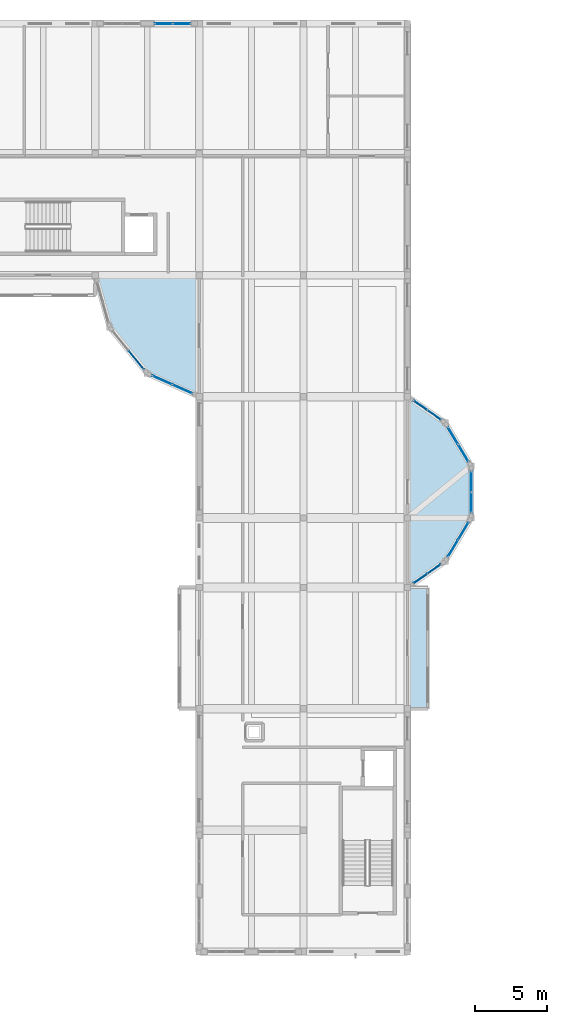
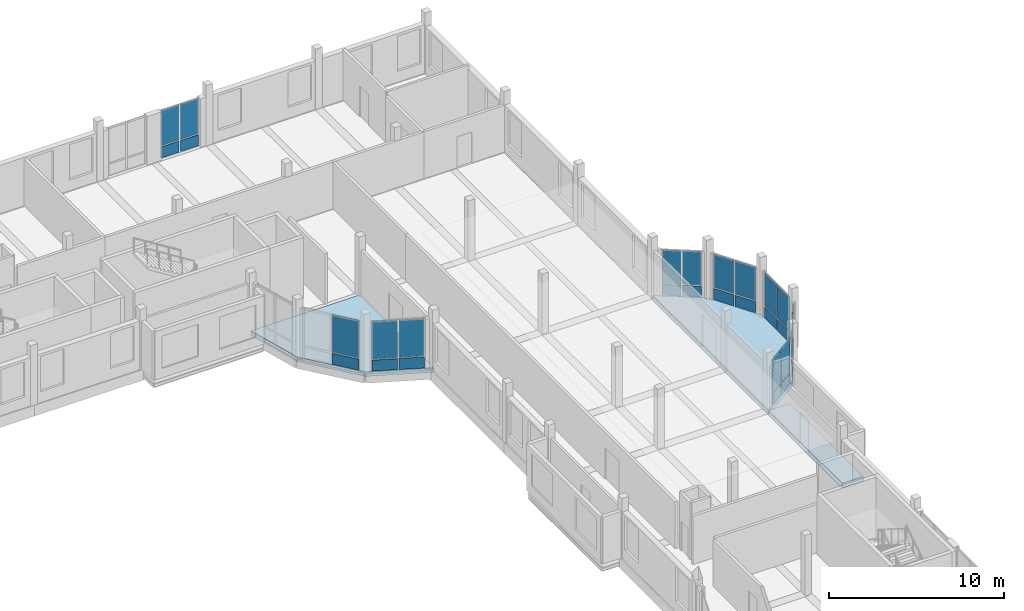
# One storey, part 53 of 99: 30 plates, 3 slabs, 8 elements without a shape of their own.
"""IFC4 building model written with IfcOpenShell, lengths in metres."""

from ifc_helpers import new_model, si_unit, direction, frame, origin, origin_2d, place, context, subcontext, project, spatial, polyline, rectangle, outline, extrude, material, layer, layer_set, type_object, element, aggregate, save


model = new_model("IFC4")

# Units and contexts
model_context = context("Model", 3, precision=1e-05, world=origin(), true_north=direction((0.0, 1.0)))
body_context = subcontext(model_context, "Body", "Model", "MODEL_VIEW")
ifc_project = project(units=[si_unit("LENGTHUNIT", "METRE"), si_unit("AREAUNIT", "SQUARE_METRE"), si_unit("VOLUMEUNIT", "CUBIC_METRE"), si_unit("PLANEANGLEUNIT", "RADIAN"), si_unit("MASSUNIT", "GRAM", prefix="KILO")], contexts=[model_context])

# Site, building, storey
site_placement = place(None, origin())
site = spatial("IfcSite", under=ifc_project, at=site_placement, CompositionType="ELEMENT")
building_placement = place(site_placement, origin())
building = spatial("IfcBuilding", under=site, at=building_placement, Name="Kahlenmark Community Centre", CompositionType="ELEMENT")
storey_placement = place(building_placement, frame((0.0, 0.0, 5.39990234375)))
storey = spatial("IfcBuildingStorey", under=building, at=storey_placement, Name="L01", CompositionType="ELEMENT", Elevation=5.39990234375)

# Curtain wall, plates
ifc_material_1 = material(Name="Anodised aluminium unitised curtain wall", Category="aluminium")
curtain_wall_type_1 = type_object("IfcCurtainWallType", Name="CWT-UNIT-232X325", PredefinedType="USERDEFINED", material=ifc_material_1)
curtain_wall_1_placement = place(storey_placement, origin())
curtain_wall_1 = element("IfcCurtainWall", 1, at=curtain_wall_1_placement, inside=storey, type_object=curtain_wall_type_1, Name="Unitised curtain wall CW-151", ObjectType="UNITISED CURTAIN WALL", PredefinedType="USERDEFINED")
ifc_material_2 = material(Name="Triple low-e solar-control glass unit", Category="glass")
ifc_layer_1 = layer(ifc_material_2, 0.0439453125)
ifc_layer_set_1 = layer_set([ifc_layer_1], Name="Triple low-e solar-control glass unit")
plate_type_1 = type_object("IfcPlateType", Name="PLT-CW-GLZ-1081X2320", PredefinedType="CURTAIN_PANEL", material=ifc_layer_set_1)
plate_1_placement = place(storey_placement, frame((87.6884765625, 76.614990234375, 0.89013671875), z_axis=(0.0, 0.0, 1.0), x_axis=(0.822190736534, 0.56921208065, 0.0)))
plate_1 = element("IfcPlate", 2, at=plate_1_placement, type_object=plate_type_1, Name="CW-151 glazed panel 1", PredefinedType="CURTAIN_PANEL", context=body_context, shape_type="SweptSolid", body=[
    extrude(rectangle(XDim=1.081298828125, YDim=0.0439453125, at=origin_2d()), origin(), (0.0, 0.0, 1.0), 2.320068359375),
])
plate_2_placement = place(storey_placement, frame((88.643310546875, 77.27587890625, 0.89013671875), z_axis=(0.0, 0.0, 1.0), x_axis=(0.822190736534, 0.56921208065, 0.0)))
plate_2 = element("IfcPlate", 3, at=plate_2_placement, type_object=plate_type_1, Name="CW-151 glazed panel 2", PredefinedType="CURTAIN_PANEL", context=body_context, shape_type="SweptSolid", body=[
    extrude(rectangle(XDim=1.081298828125, YDim=0.0439453125, at=origin_2d()), origin(), (0.0, 0.0, 1.0), 2.320068359375),
])

curtain_wall_2_placement = place(storey_placement, origin())
curtain_wall_2 = element("IfcCurtainWall", 4, at=curtain_wall_2_placement, inside=storey, type_object=curtain_wall_type_1, Name="Unitised curtain wall CW-155", ObjectType="UNITISED CURTAIN WALL", PredefinedType="USERDEFINED")
plate_3_placement = place(storey_placement, frame((88.643310546875, 87.924072265625, 0.89013671875), z_axis=(0.0, 0.0, 1.0), x_axis=(-0.822190736534, 0.56921208065, 0.0)))
plate_3 = element("IfcPlate", 5, at=plate_3_placement, type_object=plate_type_1, Name="CW-155 glazed panel 1", PredefinedType="CURTAIN_PANEL", context=body_context, shape_type="SweptSolid", body=[
    extrude(rectangle(XDim=1.081298828125, YDim=0.0439453125, at=origin_2d()), origin(), (0.0, 0.0, 1.0), 2.320068359375),
])
plate_4_placement = place(storey_placement, frame((87.6884765625, 88.5849609375, 0.89013671875), z_axis=(0.0, 0.0, 1.0), x_axis=(-0.822190736534, 0.56921208065, 0.0)))
plate_4 = element("IfcPlate", 6, at=plate_4_placement, type_object=plate_type_1, Name="CW-155 glazed panel 2", PredefinedType="CURTAIN_PANEL", context=body_context, shape_type="SweptSolid", body=[
    extrude(rectangle(XDim=1.081298828125, YDim=0.0439453125, at=origin_2d()), origin(), (0.0, 0.0, 1.0), 2.320068359375),
])

curtain_wall_type_2 = type_object("IfcCurtainWallType", Name="CWT-UNIT-254X337", PredefinedType="USERDEFINED", material=ifc_material_1)
curtain_wall_3_placement = place(storey_placement, origin())
curtain_wall_3 = element("IfcCurtainWall", 7, at=curtain_wall_3_placement, inside=storey, type_object=curtain_wall_type_2, Name="Unitised curtain wall CW-038", ObjectType="UNITISED CURTAIN WALL", PredefinedType="USERDEFINED")
ifc_layer_2 = layer(ifc_material_2, 0.0439453125)
ifc_layer_set_2 = layer_set([ifc_layer_2], Name="Triple low-e solar-control glass unit")
plate_type_2 = type_object("IfcPlateType", Name="PLT-CW-GLZ-1190X2440", PredefinedType="CURTAIN_PANEL", material=ifc_layer_set_2)
plate_5_placement = place(storey_placement, frame((71.18505859375, 115.0, 0.89013671875), z_axis=(0.0, 0.0, 1.0), x_axis=(-1.0, 0.0, 0.0)))
plate_5 = element("IfcPlate", 8, at=plate_5_placement, type_object=plate_type_2, Name="CW-038 glazed panel 1", PredefinedType="CURTAIN_PANEL", context=body_context, shape_type="SweptSolid", body=[
    extrude(rectangle(XDim=1.18994140625, YDim=0.0439453125, at=origin_2d()), origin(), (0.0, 0.0, 1.0), 2.43994140625),
])
plate_6_placement = place(storey_placement, frame((69.9150390625, 115.0, 0.89013671875), z_axis=(0.0, 0.0, 1.0), x_axis=(-1.0, 0.0, 0.0)))
plate_6 = element("IfcPlate", 9, at=plate_6_placement, type_object=plate_type_2, Name="CW-038 glazed panel 2", PredefinedType="CURTAIN_PANEL", context=body_context, shape_type="SweptSolid", body=[
    extrude(rectangle(XDim=1.18994140625, YDim=0.0439453125, at=origin_2d()), origin(), (0.0, 0.0, 1.0), 2.43994140625),
])

curtain_wall_type_3 = type_object("IfcCurtainWallType", Name="CWT-UNIT-282X325", PredefinedType="USERDEFINED", material=ifc_material_1)
curtain_wall_4_placement = place(storey_placement, origin())
curtain_wall_4 = element("IfcCurtainWall", 10, at=curtain_wall_4_placement, inside=storey, type_object=curtain_wall_type_3, Name="Unitised curtain wall CW-152", ObjectType="UNITISED CURTAIN WALL", PredefinedType="USERDEFINED")
ifc_layer_3 = layer(ifc_material_2, 0.0439453125)
ifc_layer_set_3 = layer_set([ifc_layer_3], Name="Triple low-e solar-control glass unit")
plate_type_3 = type_object("IfcPlateType", Name="PLT-CW-GLZ-1329X2320", PredefinedType="CURTAIN_PANEL", material=ifc_layer_set_3)
plate_7_placement = place(storey_placement, frame((89.9375, 78.69580078125, 0.89013671875), z_axis=(0.0, 0.0, 1.0), x_axis=(0.514496405972, 0.857492535386, 0.0)))
plate_7 = element("IfcPlate", 11, at=plate_7_placement, type_object=plate_type_3, Name="CW-152 glazed panel 1", PredefinedType="CURTAIN_PANEL", context=body_context, shape_type="SweptSolid", body=[
    extrude(rectangle(XDim=1.329345703125, YDim=0.0439453125, at=origin_2d()), origin(), (0.0, 0.0, 1.0), 2.320068359375),
])
plate_8_placement = place(storey_placement, frame((90.66259765625, 79.904296875, 0.89013671875), z_axis=(0.0, 0.0, 1.0), x_axis=(0.514496405972, 0.857492535386, 0.0)))
plate_8 = element("IfcPlate", 12, at=plate_8_placement, type_object=plate_type_3, Name="CW-152 glazed panel 2", PredefinedType="CURTAIN_PANEL", context=body_context, shape_type="SweptSolid", body=[
    extrude(rectangle(XDim=1.329345703125, YDim=0.0439453125, at=origin_2d()), origin(), (0.0, 0.0, 1.0), 2.320068359375),
])

curtain_wall_5_placement = place(storey_placement, origin())
curtain_wall_5 = element("IfcCurtainWall", 13, at=curtain_wall_5_placement, inside=storey, type_object=curtain_wall_type_3, Name="Unitised curtain wall CW-154", ObjectType="UNITISED CURTAIN WALL", PredefinedType="USERDEFINED")
plate_9_placement = place(storey_placement, frame((90.66259765625, 85.295654296875, 0.89013671875), z_axis=(0.0, 0.0, 1.0), x_axis=(-0.514496405972, 0.857492535386, 0.0)))
plate_9 = element("IfcPlate", 14, at=plate_9_placement, type_object=plate_type_3, Name="CW-154 glazed panel 1", PredefinedType="CURTAIN_PANEL", context=body_context, shape_type="SweptSolid", body=[
    extrude(rectangle(XDim=1.329345703125, YDim=0.0439453125, at=origin_2d()), origin(), (0.0, 0.0, 1.0), 2.320068359375),
])
plate_10_placement = place(storey_placement, frame((89.9375, 86.504150390625, 0.89013671875), z_axis=(0.0, 0.0, 1.0), x_axis=(-0.514496405972, 0.857492535386, 0.0)))
plate_10 = element("IfcPlate", 15, at=plate_10_placement, type_object=plate_type_3, Name="CW-154 glazed panel 2", PredefinedType="CURTAIN_PANEL", context=body_context, shape_type="SweptSolid", body=[
    extrude(rectangle(XDim=1.329345703125, YDim=0.0439453125, at=origin_2d()), origin(), (0.0, 0.0, 1.0), 2.320068359375),
])

curtain_wall_type_4 = type_object("IfcCurtainWallType", Name="CWT-UNIT-292X325", PredefinedType="USERDEFINED", material=ifc_material_1)
curtain_wall_6_placement = place(storey_placement, origin())
curtain_wall_6 = element("IfcCurtainWall", 16, at=curtain_wall_6_placement, inside=storey, type_object=curtain_wall_type_4, Name="Unitised curtain wall CW-153", ObjectType="UNITISED CURTAIN WALL", PredefinedType="USERDEFINED")
ifc_layer_4 = layer(ifc_material_2, 0.0439453125)
ifc_layer_set_4 = layer_set([ifc_layer_4], Name="Triple low-e solar-control glass unit")
plate_type_4 = type_object("IfcPlateType", Name="PLT-CW-GLZ-1380X2320", PredefinedType="CURTAIN_PANEL", material=ifc_layer_set_4)
plate_11_placement = place(storey_placement, frame((91.199951171875, 81.8701171875, 0.89013671875), z_axis=(0.0, 0.0, 1.0), x_axis=(0.0, 1.0, 0.0)))
plate_11 = element("IfcPlate", 17, at=plate_11_placement, type_object=plate_type_4, Name="CW-153 glazed panel 1", PredefinedType="CURTAIN_PANEL", context=body_context, shape_type="SweptSolid", body=[
    extrude(rectangle(XDim=1.3798828125, YDim=0.0439453125, at=origin_2d()), origin(), (0.0, 0.0, 1.0), 2.320068359375),
])
plate_12_placement = place(storey_placement, frame((91.199951171875, 83.330078125, 0.89013671875), z_axis=(0.0, 0.0, 1.0), x_axis=(0.0, 1.0, 0.0)))
plate_12 = element("IfcPlate", 18, at=plate_12_placement, type_object=plate_type_4, Name="CW-153 glazed panel 2", PredefinedType="CURTAIN_PANEL", context=body_context, shape_type="SweptSolid", body=[
    extrude(rectangle(XDim=1.3798828125, YDim=0.0439453125, at=origin_2d()), origin(), (0.0, 0.0, 1.0), 2.320068359375),
])

curtain_wall_type_5 = type_object("IfcCurtainWallType", Name="CWT-UNIT-310X352", PredefinedType="USERDEFINED", material=ifc_material_1)
curtain_wall_7_placement = place(storey_placement, origin())
curtain_wall_7 = element("IfcCurtainWall", 19, at=curtain_wall_7_placement, inside=storey, type_object=curtain_wall_type_5, Name="Unitised curtain wall CW-178", ObjectType="UNITISED CURTAIN WALL", PredefinedType="USERDEFINED")
ifc_layer_5 = layer(ifc_material_2, 0.0439453125)
ifc_layer_set_5 = layer_set([ifc_layer_5], Name="Triple low-e solar-control glass unit")
plate_type_5 = type_object("IfcPlateType", Name="PLT-CW-GLZ-1470X2590", PredefinedType="CURTAIN_PANEL", material=ifc_layer_set_5)
plate_13_placement = place(storey_placement, frame((69.81884765625, 90.34716796875, 0.89013671875), z_axis=(0.0, 0.0, 1.0), x_axis=(0.913817141143, -0.406125882643, 0.0)))
plate_13 = element("IfcPlate", 20, at=plate_13_placement, type_object=plate_type_5, Name="CW-178 glazed panel 1", PredefinedType="CURTAIN_PANEL", context=body_context, shape_type="SweptSolid", body=[
    extrude(rectangle(XDim=1.4697265625, YDim=0.0439453125, at=origin_2d()), origin(), (0.0, 0.0, 1.0), 2.590087890625),
])
plate_14_placement = place(storey_placement, frame((71.235107421875, 89.7177734375, 0.89013671875), z_axis=(0.0, 0.0, 1.0), x_axis=(0.913817141143, -0.406125882643, 0.0)))
plate_14 = element("IfcPlate", 21, at=plate_14_placement, type_object=plate_type_5, Name="CW-178 glazed panel 2", PredefinedType="CURTAIN_PANEL", context=body_context, shape_type="SweptSolid", body=[
    extrude(rectangle(XDim=1.4697265625, YDim=0.0439453125, at=origin_2d()), origin(), (0.0, 0.0, 1.0), 2.590087890625),
])

# Curtain wall, plate
curtain_wall_type_6 = type_object("IfcCurtainWallType", Name="CWT-UNIT-344X352", PredefinedType="USERDEFINED", material=ifc_material_1)
curtain_wall_8_placement = place(storey_placement, origin())
curtain_wall_8 = element("IfcCurtainWall", 22, at=curtain_wall_8_placement, inside=storey, type_object=curtain_wall_type_6, Name="Unitised curtain wall CW-177", ObjectType="UNITISED CURTAIN WALL", PredefinedType="USERDEFINED")
ifc_layer_6 = layer(ifc_material_2, 0.0439453125)
ifc_layer_set_6 = layer_set([ifc_layer_6], Name="Triple low-e solar-control glass unit")
plate_type_6 = type_object("IfcPlateType", Name="PLT-CW-GLZ-1642X2590", PredefinedType="CURTAIN_PANEL", material=ifc_layer_set_6)
plate_15_placement = place(storey_placement, frame((68.042724609375, 91.73193359375, 0.89013671875), z_axis=(0.0, 0.0, 1.0), x_axis=(0.63059860029, -0.776109145231, 0.0)))
plate_15 = element("IfcPlate", 23, at=plate_15_placement, type_object=plate_type_6, Name="CW-177 glazed panel 2", PredefinedType="CURTAIN_PANEL", context=body_context, shape_type="SweptSolid", body=[
    extrude(rectangle(XDim=1.6416015625, YDim=0.0439453125, at=origin_2d()), origin(), (0.0, 0.0, 1.0), 2.590087890625),
])

# Plate
ifc_material_3 = material(Name="Warm terracotta insulated spandrel cassette", Category="masonry")
ifc_layer_7 = layer(ifc_material_3, 0.06005859375)
ifc_layer_set_7 = layer_set([ifc_layer_7], Name="Warm terracotta insulated spandrel cassette")
plate_type_7 = type_object("IfcPlateType", Name="PLT-CW-SPD-1081X770", PredefinedType="CURTAIN_PANEL", material=ifc_layer_set_7)
plate_16_placement = place(storey_placement, frame((87.6884765625, 76.614990234375, 0.0400390625), z_axis=(0.0, 0.0, 1.0), x_axis=(0.822190736534, 0.56921208065, 0.0)))
plate_16 = element("IfcPlate", 24, at=plate_16_placement, type_object=plate_type_7, Name="CW-151 spandrel 1", PredefinedType="CURTAIN_PANEL", context=body_context, shape_type="SweptSolid", body=[
    extrude(rectangle(XDim=1.081298828125, YDim=0.06005859375, at=origin_2d()), origin(), (0.0, 0.0, 1.0), 0.77001953125),
])

plate_17_placement = place(storey_placement, frame((88.643310546875, 77.27587890625, 0.0400390625), z_axis=(0.0, 0.0, 1.0), x_axis=(0.822190736534, 0.56921208065, 0.0)))
plate_17 = element("IfcPlate", 25, at=plate_17_placement, type_object=plate_type_7, Name="CW-151 spandrel 2", PredefinedType="CURTAIN_PANEL", context=body_context, shape_type="SweptSolid", body=[
    extrude(rectangle(XDim=1.081298828125, YDim=0.06005859375, at=origin_2d()), origin(), (0.0, 0.0, 1.0), 0.77001953125),
])

aggregate(curtain_wall_1, [plate_16, plate_1, plate_17, plate_2])

plate_18_placement = place(storey_placement, frame((88.643310546875, 87.924072265625, 0.0400390625), z_axis=(0.0, 0.0, 1.0), x_axis=(-0.822190736534, 0.56921208065, 0.0)))
plate_18 = element("IfcPlate", 26, at=plate_18_placement, type_object=plate_type_7, Name="CW-155 spandrel 1", PredefinedType="CURTAIN_PANEL", context=body_context, shape_type="SweptSolid", body=[
    extrude(rectangle(XDim=1.081298828125, YDim=0.06005859375, at=origin_2d()), origin(), (0.0, 0.0, 1.0), 0.77001953125),
])

plate_19_placement = place(storey_placement, frame((87.6884765625, 88.5849609375, 0.0400390625), z_axis=(0.0, 0.0, 1.0), x_axis=(-0.822190736534, 0.56921208065, 0.0)))
plate_19 = element("IfcPlate", 27, at=plate_19_placement, type_object=plate_type_7, Name="CW-155 spandrel 2", PredefinedType="CURTAIN_PANEL", context=body_context, shape_type="SweptSolid", body=[
    extrude(rectangle(XDim=1.081298828125, YDim=0.06005859375, at=origin_2d()), origin(), (0.0, 0.0, 1.0), 0.77001953125),
])

aggregate(curtain_wall_2, [plate_18, plate_3, plate_19, plate_4])

ifc_layer_8 = layer(ifc_material_3, 0.06005859375)
ifc_layer_set_8 = layer_set([ifc_layer_8], Name="Warm terracotta insulated spandrel cassette")
plate_type_8 = type_object("IfcPlateType", Name="PLT-CW-SPD-1190X770", PredefinedType="CURTAIN_PANEL", material=ifc_layer_set_8)
plate_20_placement = place(storey_placement, frame((71.18505859375, 115.0, 0.0400390625), z_axis=(0.0, 0.0, 1.0), x_axis=(-1.0, 0.0, 0.0)))
plate_20 = element("IfcPlate", 28, at=plate_20_placement, type_object=plate_type_8, Name="CW-038 spandrel 1", PredefinedType="CURTAIN_PANEL", context=body_context, shape_type="SweptSolid", body=[
    extrude(rectangle(XDim=1.18994140625, YDim=0.06005859375, at=origin_2d()), origin(), (0.0, 0.0, 1.0), 0.77001953125),
])

plate_21_placement = place(storey_placement, frame((69.9150390625, 115.0, 0.0400390625), z_axis=(0.0, 0.0, 1.0), x_axis=(-1.0, 0.0, 0.0)))
plate_21 = element("IfcPlate", 29, at=plate_21_placement, type_object=plate_type_8, Name="CW-038 spandrel 2", PredefinedType="CURTAIN_PANEL", context=body_context, shape_type="SweptSolid", body=[
    extrude(rectangle(XDim=1.18994140625, YDim=0.06005859375, at=origin_2d()), origin(), (0.0, 0.0, 1.0), 0.77001953125),
])

aggregate(curtain_wall_3, [plate_20, plate_5, plate_21, plate_6])

ifc_layer_9 = layer(ifc_material_3, 0.06005859375)
ifc_layer_set_9 = layer_set([ifc_layer_9], Name="Warm terracotta insulated spandrel cassette")
plate_type_9 = type_object("IfcPlateType", Name="PLT-CW-SPD-1329X770", PredefinedType="CURTAIN_PANEL", material=ifc_layer_set_9)
plate_22_placement = place(storey_placement, frame((89.9375, 78.69580078125, 0.0400390625), z_axis=(0.0, 0.0, 1.0), x_axis=(0.514496405972, 0.857492535386, 0.0)))
plate_22 = element("IfcPlate", 30, at=plate_22_placement, type_object=plate_type_9, Name="CW-152 spandrel 1", PredefinedType="CURTAIN_PANEL", context=body_context, shape_type="SweptSolid", body=[
    extrude(rectangle(XDim=1.329345703125, YDim=0.06005859375, at=origin_2d()), origin(), (0.0, 0.0, 1.0), 0.77001953125),
])

plate_23_placement = place(storey_placement, frame((90.66259765625, 79.904296875, 0.0400390625), z_axis=(0.0, 0.0, 1.0), x_axis=(0.514496405972, 0.857492535386, 0.0)))
plate_23 = element("IfcPlate", 31, at=plate_23_placement, type_object=plate_type_9, Name="CW-152 spandrel 2", PredefinedType="CURTAIN_PANEL", context=body_context, shape_type="SweptSolid", body=[
    extrude(rectangle(XDim=1.329345703125, YDim=0.06005859375, at=origin_2d()), origin(), (0.0, 0.0, 1.0), 0.77001953125),
])

aggregate(curtain_wall_4, [plate_22, plate_7, plate_23, plate_8])

plate_24_placement = place(storey_placement, frame((90.66259765625, 85.295654296875, 0.0400390625), z_axis=(0.0, 0.0, 1.0), x_axis=(-0.514496405972, 0.857492535386, 0.0)))
plate_24 = element("IfcPlate", 32, at=plate_24_placement, type_object=plate_type_9, Name="CW-154 spandrel 1", PredefinedType="CURTAIN_PANEL", context=body_context, shape_type="SweptSolid", body=[
    extrude(rectangle(XDim=1.329345703125, YDim=0.06005859375, at=origin_2d()), origin(), (0.0, 0.0, 1.0), 0.77001953125),
])

plate_25_placement = place(storey_placement, frame((89.9375, 86.504150390625, 0.0400390625), z_axis=(0.0, 0.0, 1.0), x_axis=(-0.514496405972, 0.857492535386, 0.0)))
plate_25 = element("IfcPlate", 33, at=plate_25_placement, type_object=plate_type_9, Name="CW-154 spandrel 2", PredefinedType="CURTAIN_PANEL", context=body_context, shape_type="SweptSolid", body=[
    extrude(rectangle(XDim=1.329345703125, YDim=0.06005859375, at=origin_2d()), origin(), (0.0, 0.0, 1.0), 0.77001953125),
])

aggregate(curtain_wall_5, [plate_24, plate_9, plate_25, plate_10])

ifc_layer_10 = layer(ifc_material_3, 0.06005859375)
ifc_layer_set_10 = layer_set([ifc_layer_10], Name="Warm terracotta insulated spandrel cassette")
plate_type_10 = type_object("IfcPlateType", Name="PLT-CW-SPD-1380X770", PredefinedType="CURTAIN_PANEL", material=ifc_layer_set_10)
plate_26_placement = place(storey_placement, frame((91.199951171875, 81.8701171875, 0.0400390625), z_axis=(0.0, 0.0, 1.0), x_axis=(0.0, 1.0, 0.0)))
plate_26 = element("IfcPlate", 34, at=plate_26_placement, type_object=plate_type_10, Name="CW-153 spandrel 1", PredefinedType="CURTAIN_PANEL", context=body_context, shape_type="SweptSolid", body=[
    extrude(rectangle(XDim=1.3798828125, YDim=0.06005859375, at=origin_2d()), origin(), (0.0, 0.0, 1.0), 0.77001953125),
])

plate_27_placement = place(storey_placement, frame((91.199951171875, 83.330078125, 0.0400390625), z_axis=(0.0, 0.0, 1.0), x_axis=(0.0, 1.0, 0.0)))
plate_27 = element("IfcPlate", 35, at=plate_27_placement, type_object=plate_type_10, Name="CW-153 spandrel 2", PredefinedType="CURTAIN_PANEL", context=body_context, shape_type="SweptSolid", body=[
    extrude(rectangle(XDim=1.3798828125, YDim=0.06005859375, at=origin_2d()), origin(), (0.0, 0.0, 1.0), 0.77001953125),
])

aggregate(curtain_wall_6, [plate_26, plate_11, plate_27, plate_12])

ifc_layer_11 = layer(ifc_material_3, 0.06005859375)
ifc_layer_set_11 = layer_set([ifc_layer_11], Name="Warm terracotta insulated spandrel cassette")
plate_type_11 = type_object("IfcPlateType", Name="PLT-CW-SPD-1470X770", PredefinedType="CURTAIN_PANEL", material=ifc_layer_set_11)
plate_28_placement = place(storey_placement, frame((69.81884765625, 90.34716796875, 0.0400390625), z_axis=(0.0, 0.0, 1.0), x_axis=(0.913817141143, -0.406125882643, 0.0)))
plate_28 = element("IfcPlate", 36, at=plate_28_placement, type_object=plate_type_11, Name="CW-178 spandrel 1", PredefinedType="CURTAIN_PANEL", context=body_context, shape_type="SweptSolid", body=[
    extrude(rectangle(XDim=1.4697265625, YDim=0.06005859375, at=origin_2d()), origin(), (0.0, 0.0, 1.0), 0.77001953125),
])

plate_29_placement = place(storey_placement, frame((71.235107421875, 89.7177734375, 0.0400390625), z_axis=(0.0, 0.0, 1.0), x_axis=(0.913817141143, -0.406125882643, 0.0)))
plate_29 = element("IfcPlate", 37, at=plate_29_placement, type_object=plate_type_11, Name="CW-178 spandrel 2", PredefinedType="CURTAIN_PANEL", context=body_context, shape_type="SweptSolid", body=[
    extrude(rectangle(XDim=1.4697265625, YDim=0.06005859375, at=origin_2d()), origin(), (0.0, 0.0, 1.0), 0.77001953125),
])

aggregate(curtain_wall_7, [plate_28, plate_13, plate_29, plate_14])

ifc_layer_12 = layer(ifc_material_3, 0.06005859375)
ifc_layer_set_12 = layer_set([ifc_layer_12], Name="Warm terracotta insulated spandrel cassette")
plate_type_12 = type_object("IfcPlateType", Name="PLT-CW-SPD-1642X770", PredefinedType="CURTAIN_PANEL", material=ifc_layer_set_12)
plate_30_placement = place(storey_placement, frame((68.042724609375, 91.73193359375, 0.0400390625), z_axis=(0.0, 0.0, 1.0), x_axis=(0.63059860029, -0.776109145231, 0.0)))
plate_30 = element("IfcPlate", 38, at=plate_30_placement, type_object=plate_type_12, Name="CW-177 spandrel 2", PredefinedType="CURTAIN_PANEL", context=body_context, shape_type="SweptSolid", body=[
    extrude(rectangle(XDim=1.6416015625, YDim=0.06005859375, at=origin_2d()), origin(), (0.0, 0.0, 1.0), 0.77001953125),
])

aggregate(curtain_wall_8, [plate_30, plate_15])

# Slabs
ifc_material_4 = material(Name="Concrete C35/45", Category="concrete")
ifc_layer_13 = layer(ifc_material_4, 0.320068359375)
ifc_layer_set_13 = layer_set([ifc_layer_13], Name="Concrete C35/45")
slab_type = type_object("IfcSlabType", Name="ST-FL-RC320", PredefinedType="FLOOR", material=ifc_layer_set_13)
slab_1_placement = place(storey_placement, frame((0.0, 0.0, -0.31982421875)))
element("IfcSlab", 39, at=slab_1_placement, inside=storey, type_object=slab_type, Name="L01 East Square Postmodern Library Reading Rotunda floor slab", PredefinedType="FLOOR", context=body_context, shape_type="SweptSolid", body=[
    extrude(outline(polyline([(86.800048828125, 76.0), (89.39990234375, 77.800048828125), (91.199951171875, 80.800048828125), (91.199951171875, 84.39990234375), (89.39990234375, 87.39990234375), (86.800048828125, 89.199951171875), (86.800048828125, 76.0)])), origin(), (0.0, 0.0, 1.0), 0.31982421875),
])
slab_2_placement = place(storey_placement, frame((0.0, 0.0, -0.31982421875)))
element("IfcSlab", 40, at=slab_2_placement, inside=storey, type_object=slab_type, Name="L01 Central Courtyard Postmodern Faceted Rotunda Foyer floor slab", PredefinedType="FLOOR", context=body_context, shape_type="SweptSolid", body=[
    extrude(outline(polyline([(65.199951171875, 97.60009765625), (66.199951171875, 94.0), (68.800048828125, 90.800048828125), (72.39990234375, 89.199951171875), (72.39990234375, 97.60009765625), (65.199951171875, 97.60009765625)])), origin(), (0.0, 0.0, 1.0), 0.31982421875),
])
slab_3_placement = place(storey_placement, frame((0.0, 0.0, -0.31982421875)))
element("IfcSlab", 41, at=slab_3_placement, inside=storey, type_object=slab_type, Name="L01 reading-room bay oriel ORI-E1", PredefinedType="FLOOR", context=body_context, shape_type="SweptSolid", body=[
    extrude(outline(polyline([(86.800048828125, 67.60009765625), (88.199951171875, 67.60009765625), (88.199951171875, 76.0), (86.800048828125, 76.0), (86.800048828125, 67.60009765625)])), origin(), (0.0, 0.0, 1.0), 0.31982421875),
])

save(model, "model.ifc")
